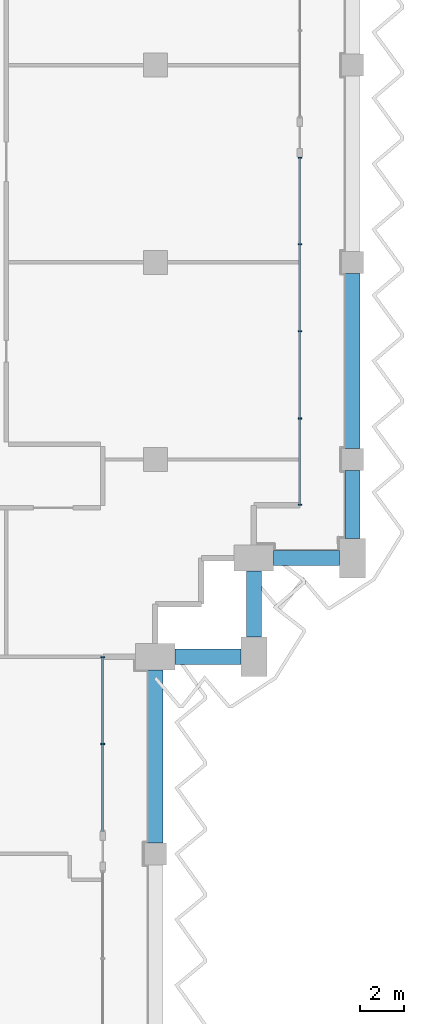
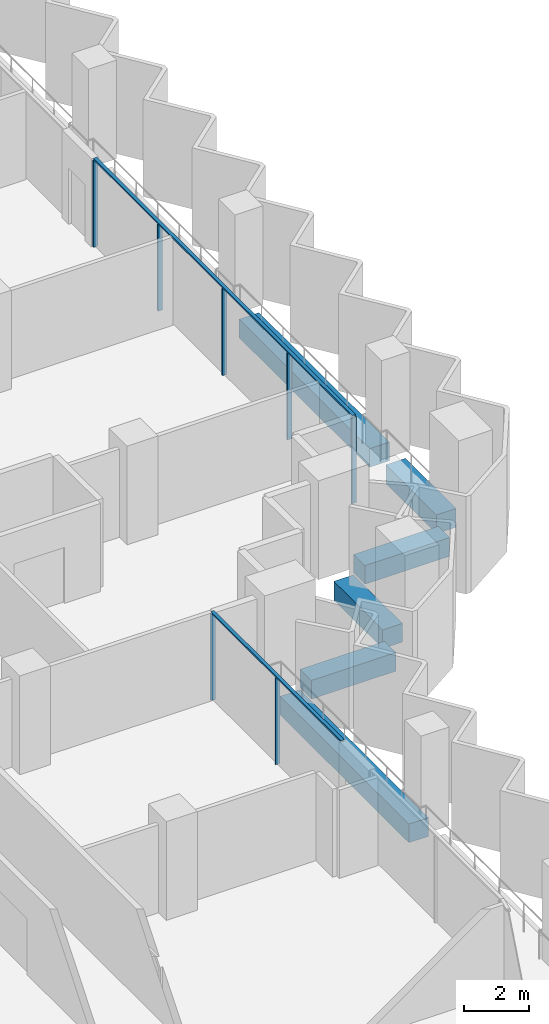
# One storey, part 4 of 17: 9 members, 6 beams, 2 elements without a shape of their own.
"""IFC4 building model written with IfcOpenShell, lengths in metres."""

from ifc_helpers import new_model, si_unit, direction, frame, origin, origin_2d, place, context, subcontext, project, spatial, rectangle, extrude, material, material_profile, profile_set, type_object, element, aggregate, save


model = new_model("IFC4")

# Units and contexts
model_context = context("Model", 3, precision=1e-05, world=origin(), true_north=direction((0.0, 1.0)))
body_context = subcontext(model_context, "Body", "Model", "MODEL_VIEW")
ifc_project = project(units=[si_unit("LENGTHUNIT", "METRE"), si_unit("AREAUNIT", "SQUARE_METRE"), si_unit("VOLUMEUNIT", "CUBIC_METRE"), si_unit("PLANEANGLEUNIT", "RADIAN"), si_unit("MASSUNIT", "GRAM", prefix="KILO")], contexts=[model_context])

# Site, building, storey
site_placement = place(None, origin())
site = spatial("IfcSite", under=ifc_project, at=site_placement, CompositionType="ELEMENT")
building_placement = place(site_placement, origin())
building = spatial("IfcBuilding", under=site, at=building_placement, Name="Hunhe Ridgeline Campus", CompositionType="ELEMENT")
storey_placement = place(building_placement, frame((0.0, 0.0, 205.0)))
storey = spatial("IfcBuildingStorey", under=building, at=storey_placement, Name="L52", CompositionType="ELEMENT", Elevation=205.0)

# Curtain wall, members
ifc_material_1 = material(Name="Aluminium 6063", Category="aluminium")
curtain_wall_type = type_object("IfcCurtainWallType", Name="Curtain wall CW-1", PredefinedType="NOTDEFINED", material=ifc_material_1)
curtain_wall_1_placement = place(storey_placement, origin())
curtain_wall_1 = element("IfcCurtainWall", 1, at=curtain_wall_1_placement, inside=storey, type_object=curtain_wall_type, Name="Curtain wall 12", PredefinedType="NOTDEFINED")
ifc_material_profile_1 = material_profile(ifc_material_1, rectangle(XDim=0.159912109375, YDim=0.06005859375, at=origin_2d()))
ifc_profile_set_1 = profile_set([ifc_material_profile_1], Name="Aluminium 6063")
member_type_1 = type_object("IfcMemberType", Name="CW-1 aluminium mullion", PredefinedType="MULLION", material=ifc_profile_set_1)
member_1_placement = place(storey_placement, frame((42.59912109375, 50.009521484375, 0.0), z_axis=(0.0, 0.0, 1.0), x_axis=(-0.999999999978, 6.639948e-06, 0.0)))
member_1 = element("IfcMember", 2, at=member_1_placement, type_object=member_type_1, Name="CW-1 mullion 2", PredefinedType="MULLION", context=body_context, shape_type="SweptSolid", body=[
    extrude(rectangle(XDim=0.159912109375, YDim=0.06005859375, at=origin_2d()), origin(), (0.0, 0.0, 1.0), 3.239990234375),
])
member_2_placement = place(storey_placement, frame((42.59912109375, 53.970458984375, 0.0), z_axis=(0.0, 0.0, 1.0), x_axis=(-0.999999999978, 6.639948e-06, 0.0)))
member_2 = element("IfcMember", 3, at=member_2_placement, type_object=member_type_1, Name="CW-1 mullion 3", PredefinedType="MULLION", context=body_context, shape_type="SweptSolid", body=[
    extrude(rectangle(XDim=0.159912109375, YDim=0.06005859375, at=origin_2d()), origin(), (0.0, 0.0, 1.0), 3.239990234375),
])

curtain_wall_2_placement = place(storey_placement, origin())
curtain_wall_2 = element("IfcCurtainWall", 4, at=curtain_wall_2_placement, inside=storey, type_object=curtain_wall_type, Name="Curtain wall 13", PredefinedType="NOTDEFINED")
member_3_placement = place(storey_placement, frame((51.59912109375, 60.930908203125, 0.0), z_axis=(0.0, 0.0, 1.0), x_axis=(-1.0, 0.0, 0.0)))
member_3 = element("IfcMember", 5, at=member_3_placement, type_object=member_type_1, Name="CW-1 mullion 1", PredefinedType="MULLION", context=body_context, shape_type="SweptSolid", body=[
    extrude(rectangle(XDim=0.159912109375, YDim=0.06005859375, at=origin_2d()), origin(), (0.0, 0.0, 1.0), 3.239990234375),
])
member_4_placement = place(storey_placement, frame((51.59912109375, 64.8759765625, 0.0), z_axis=(0.0, 0.0, 1.0), x_axis=(-1.0, 0.0, 0.0)))
member_4 = element("IfcMember", 6, at=member_4_placement, type_object=member_type_1, Name="CW-1 mullion 2", PredefinedType="MULLION", context=body_context, shape_type="SweptSolid", body=[
    extrude(rectangle(XDim=0.159912109375, YDim=0.06005859375, at=origin_2d()), origin(), (0.0, 0.0, 1.0), 3.239990234375),
])
member_5_placement = place(storey_placement, frame((51.59912109375, 68.850830078125, 0.0), z_axis=(0.0, 0.0, 1.0), x_axis=(-1.0, 0.0, 0.0)))
member_5 = element("IfcMember", 7, at=member_5_placement, type_object=member_type_1, Name="CW-1 mullion 3", PredefinedType="MULLION", context=body_context, shape_type="SweptSolid", body=[
    extrude(rectangle(XDim=0.159912109375, YDim=0.06005859375, at=origin_2d()), origin(), (0.0, 0.0, 1.0), 3.239990234375),
])
member_6_placement = place(storey_placement, frame((51.59912109375, 72.82568359375, 0.0), z_axis=(0.0, 0.0, 1.0), x_axis=(-1.0, 0.0, 0.0)))
member_6 = element("IfcMember", 8, at=member_6_placement, type_object=member_type_1, Name="CW-1 mullion 4", PredefinedType="MULLION", context=body_context, shape_type="SweptSolid", body=[
    extrude(rectangle(XDim=0.159912109375, YDim=0.06005859375, at=origin_2d()), origin(), (0.0, 0.0, 1.0), 3.239990234375),
])
member_7_placement = place(storey_placement, frame((51.59912109375, 76.7705078125, 0.0), z_axis=(0.0, 0.0, 1.0), x_axis=(-1.0, 0.0, 0.0)))
member_7 = element("IfcMember", 9, at=member_7_placement, type_object=member_type_1, Name="CW-1 mullion 5", PredefinedType="MULLION", context=body_context, shape_type="SweptSolid", body=[
    extrude(rectangle(XDim=0.159912109375, YDim=0.06005859375, at=origin_2d()), origin(), (0.0, 0.0, 1.0), 3.239990234375),
])

# Member
ifc_material_profile_2 = material_profile(ifc_material_1, rectangle(XDim=0.1201171875, YDim=0.06005859375, at=origin_2d()))
ifc_profile_set_2 = profile_set([ifc_material_profile_2], Name="Aluminium 6063")
member_type_2 = type_object("IfcMemberType", Name="CW-1 aluminium transom", PredefinedType="USERDEFINED", material=ifc_profile_set_2)
member_8_placement = place(storey_placement, frame((42.59912109375, 46.0185546875, 3.27001953125), z_axis=(0.0, 1.0, 0.0), x_axis=(-1.0, 0.0, 0.0)))
member_8 = element("IfcMember", 10, at=member_8_placement, type_object=member_type_2, Name="CW-1 transom 1", ObjectType="TRANSOM", PredefinedType="USERDEFINED", context=body_context, shape_type="SweptSolid", body=[
    extrude(rectangle(XDim=0.1201171875, YDim=0.06005859375, at=origin_2d()), origin(), (0.0, 0.0, 1.0), 7.98193359375),
])

aggregate(curtain_wall_1, [member_8, member_1, member_2])

member_9_placement = place(storey_placement, frame((51.59912109375, 60.90087890625, 3.27001953125), z_axis=(0.0, 1.0, 0.0), x_axis=(-1.0, 0.0, 0.0)))
member_9 = element("IfcMember", 11, at=member_9_placement, type_object=member_type_2, Name="CW-1 transom 1", ObjectType="TRANSOM", PredefinedType="USERDEFINED", context=body_context, shape_type="SweptSolid", body=[
    extrude(rectangle(XDim=0.1201171875, YDim=0.06005859375, at=origin_2d()), origin(), (0.0, 0.0, 1.0), 15.899658203125),
])

aggregate(curtain_wall_2, [member_9, member_3, member_4, member_5, member_6, member_7])

# Beams
ifc_material_2 = material(Name="Concrete C50", Category="concrete")
ifc_material_profile_3 = material_profile(ifc_material_2, rectangle(XDim=0.699951171875, YDim=0.699951171875, at=origin_2d()))
ifc_profile_set_3 = profile_set([ifc_material_profile_3], Name="Concrete C50")
beam_type = type_object("IfcBeamType", Name="RC spandrel beam 700x700 Concrete C50", PredefinedType="SPANDREL", material=ifc_profile_set_3)
beam_1_placement = place(storey_placement, frame((45.0, 45.5, -0.60009765625), z_axis=(0.0, 1.0, 0.0), x_axis=(-1.0, 0.0, 0.0)))
element("IfcBeam", 12, at=beam_1_placement, inside=storey, type_object=beam_type, Name="Spandrel beam B3-10 L52", PredefinedType="SPANDREL", context=body_context, shape_type="SweptSolid", body=[
    extrude(rectangle(XDim=0.699951171875, YDim=0.699951171875, at=origin_2d()), origin(), (0.0, 0.0, 1.0), 7.89990234375),
])
for number, where, z_axis, x_axis, name in (
    (13, (45.89990234375, 54.0, -0.60009765625), (1.0, 0.0, 0.0), (0.0, 1.0, 0.0), "Spandrel beam B3-11 L52"),
    (14, (49.5, 54.89990234375, -0.60009765625), (0.0, 1.0, 0.0), (-1.0, 0.0, 0.0), "Spandrel beam B3-12 L52"),
    (15, (50.39990234375, 58.5, -0.60009765625), (1.0, 0.0, 0.0), (0.0, 1.0, 0.0), "Spandrel beam B3-13 L52"),
):
    element("IfcBeam", number, at=place(storey_placement, frame(where, z_axis=z_axis, x_axis=x_axis)), inside=storey, type_object=beam_type, Name=name, PredefinedType="SPANDREL", context=body_context, shape_type="SweptSolid", body=[
        extrude(rectangle(XDim=0.699951171875, YDim=0.699951171875, at=origin_2d()), origin(), (0.0, 0.0, 1.0), 3.0),
    ])
beam_2_placement = place(storey_placement, frame((54.0, 59.39990234375, -0.60009765625), z_axis=(0.0, 1.0, 0.0), x_axis=(-1.0, 0.0, 0.0)))
element("IfcBeam", 16, at=beam_2_placement, inside=storey, type_object=beam_type, Name="Spandrel beam B3-14 L52", PredefinedType="SPANDREL", context=body_context, shape_type="SweptSolid", body=[
    extrude(rectangle(XDim=0.699951171875, YDim=0.699951171875, at=origin_2d()), origin(), (0.0, 0.0, 1.0), 3.10009765625),
])
beam_3_placement = place(storey_placement, frame((54.0, 63.5, -0.60009765625), z_axis=(0.0, 1.0, 0.0), x_axis=(-1.0, 0.0, 0.0)))
element("IfcBeam", 17, at=beam_3_placement, inside=storey, type_object=beam_type, Name="Spandrel beam B3-15 L52", PredefinedType="SPANDREL", context=body_context, shape_type="SweptSolid", body=[
    extrude(rectangle(XDim=0.699951171875, YDim=0.699951171875, at=origin_2d()), origin(), (0.0, 0.0, 1.0), 8.0),
])

save(model, "model.ifc")
